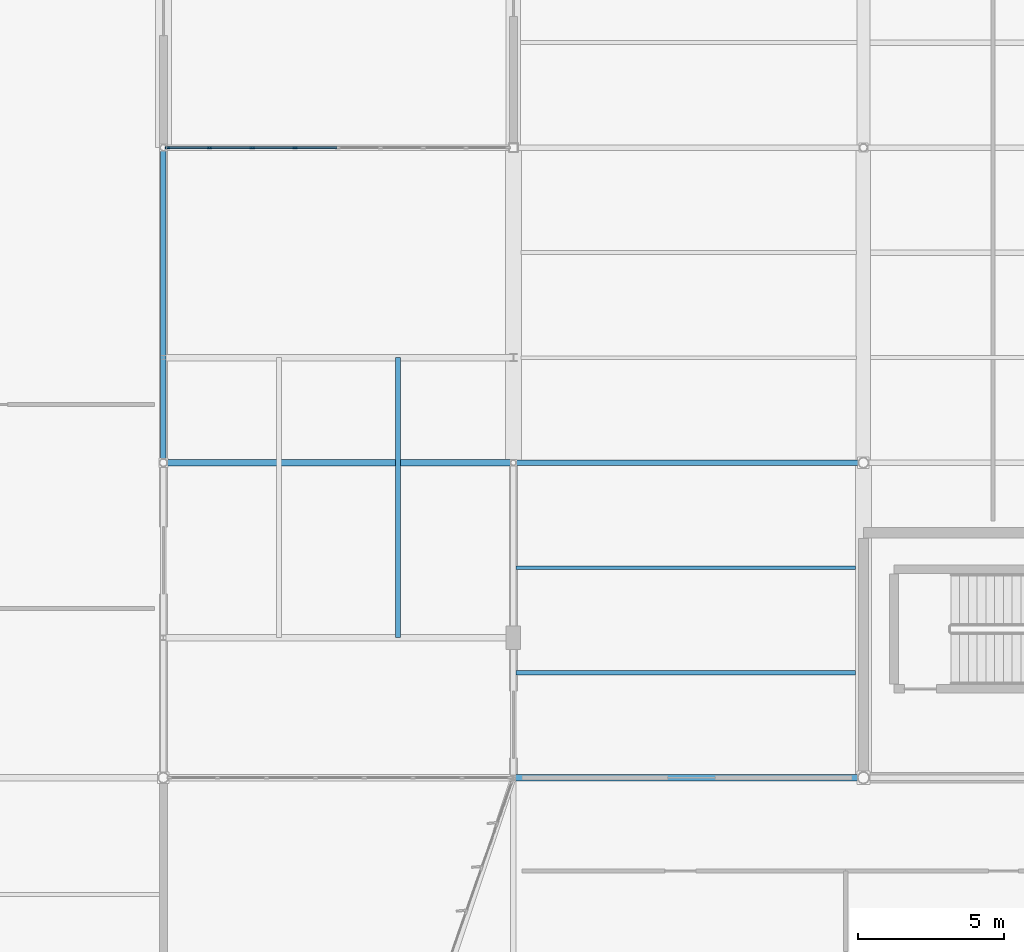
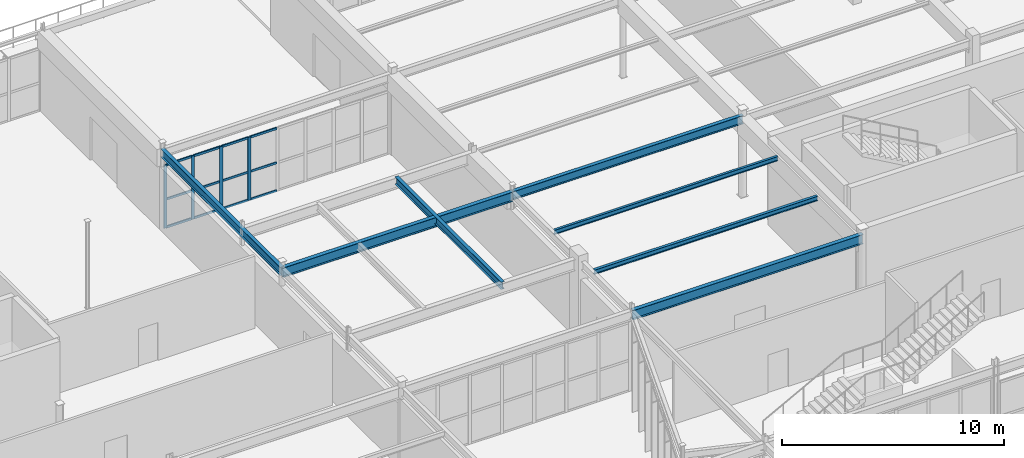
# One storey, part 106 of 199: 16 members, 7 beams, 1 element without a shape of its own.
"""IFC4 building model written with IfcOpenShell, lengths in metres."""

from ifc_helpers import new_model, si_unit, direction, frame, origin, origin_2d, place, context, subcontext, project, spatial, rectangle, i_section, extrude, material, layer, layer_set, material_profile, profile_set, type_object, element, aggregate, save


model = new_model("IFC4")

# Units and contexts
model_context = context("Model", 3, precision=1e-05, world=origin(), true_north=direction((0.0, 1.0)))
body_context = subcontext(model_context, "Body", "Model", "MODEL_VIEW")
ifc_project = project(units=[si_unit("LENGTHUNIT", "METRE"), si_unit("AREAUNIT", "SQUARE_METRE"), si_unit("VOLUMEUNIT", "CUBIC_METRE"), si_unit("PLANEANGLEUNIT", "RADIAN"), si_unit("MASSUNIT", "GRAM", prefix="KILO")], contexts=[model_context])

# Site, building, storey
site_placement = place(None, origin())
site = spatial("IfcSite", under=ifc_project, at=site_placement, CompositionType="ELEMENT")
building_placement = place(site_placement, origin())
building = spatial("IfcBuilding", under=site, at=building_placement, Name="Tarnwether General Hospital", CompositionType="ELEMENT")
storey_placement = place(building_placement, origin())
storey = spatial("IfcBuildingStorey", under=building, at=storey_placement, Name="L00", CompositionType="ELEMENT", Elevation=0.0)

# Beams
ifc_material_1 = material(Name="Steel Grade 350 (350 MPa)", Category="steel")
ifc_material_profile_1 = material_profile(ifc_material_1, i_section(OverallWidth=0.208984375, OverallDepth=0.528076171875, WebThickness=0.009521484375, FlangeThickness=0.01318359375, at=origin_2d()), Name="530UB82.0")
ifc_profile_set_1 = profile_set([ifc_material_profile_1], Name="Steel Grade 350 (350 MPa)")
beam_type_1 = type_object("IfcBeamType", Name="BM-G07", PredefinedType="BEAM", material=ifc_profile_set_1)
for number, where, z_axis, x_axis, name in (
    (1, (132.0, 104.39990234375, 4.180908203125), (1.0, 0.0, 0.0), (0.0, 1.0, 0.0), "Primary Girder BMG-L00-13200_10440-14400_10440-0779"),
    (2, (144.0, 93.60009765625, 4.180908203125), (1.0, 0.0, 0.0), (0.0, 1.0, 0.0), "Primary Girder BMG-L00-14400_9360-15600_9360-0798"),
):
    element("IfcBeam", number, at=place(storey_placement, frame(where, z_axis=z_axis, x_axis=x_axis)), inside=storey, type_object=beam_type_1, Name=name, PredefinedType="BEAM", context=body_context, shape_type="SweptSolid", body=[
        extrude(i_section(OverallWidth=0.208984375, OverallDepth=0.528076171875, WebThickness=0.009521484375, FlangeThickness=0.01318359375, at=origin_2d()), origin(), (0.0, 0.0, 1.0), 12.0),
    ])
ifc_material_2 = material(Name="Steel Grade 350 (350 MPa)", Category="steel")
ifc_material_profile_2 = material_profile(ifc_material_2, i_section(OverallWidth=0.19091796875, OverallDepth=0.4599609375, WebThickness=0.010009765625, FlangeThickness=0.01611328125, at=origin_2d()), Name="460UB82.1")
ifc_profile_set_2 = profile_set([ifc_material_profile_2], Name="Steel Grade 350 (350 MPa)")
beam_type_2 = type_object("IfcBeamType", Name="BM-G08", PredefinedType="BEAM", material=ifc_profile_set_2)
beam_1_placement = place(storey_placement, frame((144.0, 104.39990234375, 4.215087890625), z_axis=(1.0, 0.0, 0.0), x_axis=(0.0, 1.0, 0.0)))
element("IfcBeam", 3, at=beam_1_placement, inside=storey, type_object=beam_type_2, Name="Primary Girder BMG-L00-14400_10440-15600_10440-0800", PredefinedType="BEAM", context=body_context, shape_type="SweptSolid", body=[
    extrude(i_section(OverallWidth=0.19091796875, OverallDepth=0.4599609375, WebThickness=0.010009765625, FlangeThickness=0.01611328125, at=origin_2d()), origin(), (0.0, 0.0, 1.0), 12.0),
])
ifc_material_3 = material(Name="Steel Grade 350 (350 MPa)", Category="steel")
ifc_material_profile_3 = material_profile(ifc_material_3, i_section(OverallWidth=0.18994140625, OverallDepth=0.4541015625, WebThickness=0.008544921875, FlangeThickness=0.0126953125, at=origin_2d()), Name="460UB67.1")
ifc_profile_set_3 = profile_set([ifc_material_profile_3], Name="Steel Grade 350 (350 MPa)")
beam_type_3 = type_object("IfcBeamType", Name="BM-G10", PredefinedType="BEAM", material=ifc_profile_set_3)
beam_2_placement = place(storey_placement, frame((132.0, 104.39990234375, 4.218017578125), z_axis=(0.0, 1.0, 0.0), x_axis=(-1.0, 0.0, 0.0)))
element("IfcBeam", 4, at=beam_2_placement, inside=storey, type_object=beam_type_3, Name="Primary Girder BMG-L00-13200_10440-13200_11520-0780", PredefinedType="BEAM", context=body_context, shape_type="SweptSolid", body=[
    extrude(i_section(OverallWidth=0.18994140625, OverallDepth=0.4541015625, WebThickness=0.008544921875, FlangeThickness=0.0126953125, at=origin_2d()), origin(), (0.0, 0.0, 1.0), 10.800048828125),
])
ifc_material_4 = material(Name="Steel Grade 350 (350 MPa)", Category="steel")
ifc_material_profile_4 = material_profile(ifc_material_4, i_section(OverallWidth=0.177978515625, OverallDepth=0.403076171875, WebThickness=0.007568359375, FlangeThickness=0.010986328125, at=origin_2d()), Name="410UB53.7")
ifc_profile_set_4 = profile_set([ifc_material_profile_4], Name="Steel Grade 350 (350 MPa)")
beam_type_4 = type_object("IfcBeamType", Name="BM-J02", PredefinedType="JOIST", material=ifc_profile_set_4)
beam_3_placement = place(storey_placement, frame((140.0400390625, 98.39990234375, 4.243408203125), z_axis=(0.0, 1.0, 0.0), x_axis=(-1.0, 0.0, 0.0)))
element("IfcBeam", 5, at=beam_3_placement, inside=storey, type_object=beam_type_4, Name="Court Link Bridge Cross Beam North BMG-L00-14004_9840-14004_10800-1861", PredefinedType="JOIST", context=body_context, shape_type="SweptSolid", body=[
    extrude(i_section(OverallWidth=0.177978515625, OverallDepth=0.403076171875, WebThickness=0.007568359375, FlangeThickness=0.010986328125, at=origin_2d()), origin(), (0.0, 0.0, 1.0), 9.60009765625),
])
ifc_material_5 = material(Name="Steel Grade 350 (350 MPa)", Category="steel")
ifc_material_profile_5 = material_profile(ifc_material_5, i_section(OverallWidth=0.14599609375, OverallDepth=0.251953125, WebThickness=0.006103515625, FlangeThickness=0.008544921875, at=origin_2d()), Name="250UB31.4")
ifc_profile_set_5 = profile_set([ifc_material_profile_5], Name="Steel Grade 350 (350 MPa)")
beam_type_5 = type_object("IfcBeamType", Name="BM-J10", PredefinedType="JOIST", material=ifc_profile_set_5)
beam_4_placement = place(storey_placement, frame((144.089111328125, 97.199951171875, 4.319091796875), z_axis=(1.0, 0.0, 0.0), x_axis=(0.0, 1.0, 0.0)))
element("IfcBeam", 6, at=beam_4_placement, inside=storey, type_object=beam_type_5, Name="Composite Floor Joist BMG-L00-14409_9720-15573_9720-1003", PredefinedType="JOIST", context=body_context, shape_type="SweptSolid", body=[
    extrude(i_section(OverallWidth=0.14599609375, OverallDepth=0.251953125, WebThickness=0.006103515625, FlangeThickness=0.008544921875, at=origin_2d()), origin(), (0.0, 0.0, 1.0), 11.641845703125),
])
ifc_material_6 = material(Name="Steel Grade 350 (350 MPa)", Category="steel")
ifc_material_profile_6 = material_profile(ifc_material_6, i_section(OverallWidth=0.1240234375, OverallDepth=0.248046875, WebThickness=0.0048828125, FlangeThickness=0.008056640625, at=origin_2d()), Name="250UB25.7")
ifc_profile_set_6 = profile_set([ifc_material_profile_6], Name="Steel Grade 350 (350 MPa)")
beam_type_6 = type_object("IfcBeamType", Name="BM-J11", PredefinedType="JOIST", material=ifc_profile_set_6)
beam_5_placement = place(storey_placement, frame((144.089111328125, 100.800048828125, 4.321044921875), z_axis=(1.0, 0.0, 0.0), x_axis=(0.0, 1.0, 0.0)))
element("IfcBeam", 7, at=beam_5_placement, inside=storey, type_object=beam_type_6, Name="Composite Floor Joist BMG-L00-14409_10080-15573_10080-1004", PredefinedType="JOIST", context=body_context, shape_type="SweptSolid", body=[
    extrude(i_section(OverallWidth=0.1240234375, OverallDepth=0.248046875, WebThickness=0.0048828125, FlangeThickness=0.008056640625, at=origin_2d()), origin(), (0.0, 0.0, 1.0), 11.641845703125),
])

# Curtain wall, members
ifc_material_7 = material(Name="Anodised aluminium", Category="aluminium")
ifc_layer = layer(ifc_material_7, 0.159912109375)
ifc_layer_set = layer_set([ifc_layer], Name="Anodised aluminium")
curtain_wall_type = type_object("IfcCurtainWallType", Name="CW-09", PredefinedType="NOTDEFINED", material=ifc_layer_set)
curtain_wall_placement = place(storey_placement, origin())
curtain_wall = element("IfcCurtainWall", 8, at=curtain_wall_placement, inside=storey, type_object=curtain_wall_type, Name="Curtain Wall CWG-L00-1321_1152-0315", PredefinedType="NOTDEFINED")
ifc_material_8 = material(Name="Anodised aluminium", Category="aluminium")
ifc_material_profile_7 = material_profile(ifc_material_8, rectangle(XDim=0.06005859375, YDim=0.159912109375, at=origin_2d()), Name="ALU-MUL-60x160")
ifc_profile_set_7 = profile_set([ifc_material_profile_7], Name="Anodised aluminium")
member_type_1 = type_object("IfcMemberType", Name="CW-ML1", PredefinedType="MULLION", material=ifc_profile_set_7)
member_1_placement = place(storey_placement, frame((132.14794921875, 115.199951171875, 0.0), z_axis=(0.0, 0.0, 1.0), x_axis=(0.0, 1.0, 0.0)))
member_1 = element("IfcMember", 9, at=member_1_placement, type_object=member_type_1, Name="CW-09 mullion 1", PredefinedType="MULLION", context=body_context, shape_type="SweptSolid", body=[
    extrude(rectangle(XDim=0.06005859375, YDim=0.159912109375, at=origin_2d()), origin(), (0.0, 0.0, 1.0), 3.47998046875),
])
member_2_placement = place(storey_placement, frame((133.58349609375, 115.199951171875, 0.0), z_axis=(0.0, 0.0, 1.0), x_axis=(0.0, 1.0, 0.0)))
member_2 = element("IfcMember", 10, at=member_2_placement, type_object=member_type_1, Name="CW-09 mullion 2", PredefinedType="MULLION", context=body_context, shape_type="SweptSolid", body=[
    extrude(rectangle(XDim=0.06005859375, YDim=0.159912109375, at=origin_2d()), origin(), (0.0, 0.0, 1.0), 3.47998046875),
])
member_3_placement = place(storey_placement, frame((135.049072265625, 115.199951171875, 0.0), z_axis=(0.0, 0.0, 1.0), x_axis=(0.0, 1.0, 0.0)))
member_3 = element("IfcMember", 11, at=member_3_placement, type_object=member_type_1, Name="CW-09 mullion 3", PredefinedType="MULLION", context=body_context, shape_type="SweptSolid", body=[
    extrude(rectangle(XDim=0.06005859375, YDim=0.159912109375, at=origin_2d()), origin(), (0.0, 0.0, 1.0), 3.47998046875),
])
member_4_placement = place(storey_placement, frame((136.514404296875, 115.199951171875, 0.0), z_axis=(0.0, 0.0, 1.0), x_axis=(0.0, 1.0, 0.0)))
member_4 = element("IfcMember", 12, at=member_4_placement, type_object=member_type_1, Name="CW-09 mullion 4", PredefinedType="MULLION", context=body_context, shape_type="SweptSolid", body=[
    extrude(rectangle(XDim=0.06005859375, YDim=0.159912109375, at=origin_2d()), origin(), (0.0, 0.0, 1.0), 3.47998046875),
])
ifc_material_9 = material(Name="Anodised aluminium", Category="aluminium")
ifc_material_profile_8 = material_profile(ifc_material_9, rectangle(XDim=0.06005859375, YDim=0.1201171875, at=origin_2d()), Name="ALU-TRN-60x120")
ifc_profile_set_8 = profile_set([ifc_material_profile_8], Name="Anodised aluminium")
member_type_2 = type_object("IfcMemberType", Name="CW-TR1", PredefinedType="USERDEFINED", material=ifc_profile_set_8)
member_5_placement = place(storey_placement, frame((132.177978515625, 115.199951171875, 0.030029296875), z_axis=(1.0, 0.0, 0.0), x_axis=(0.0, 1.0, 0.0)))
member_5 = element("IfcMember", 13, at=member_5_placement, type_object=member_type_2, Name="CW-09 transom 1.1", ObjectType="TRANSOM", PredefinedType="USERDEFINED", context=body_context, shape_type="SweptSolid", body=[
    extrude(rectangle(XDim=0.06005859375, YDim=0.1201171875, at=origin_2d()), origin(), (0.0, 0.0, 1.0), 1.37548828125),
])
member_6_placement = place(storey_placement, frame((132.177978515625, 115.199951171875, 1.56591796875), z_axis=(1.0, 0.0, 0.0), x_axis=(0.0, 1.0, 0.0)))
member_6 = element("IfcMember", 14, at=member_6_placement, type_object=member_type_2, Name="CW-09 transom 1.2", ObjectType="TRANSOM", PredefinedType="USERDEFINED", context=body_context, shape_type="SweptSolid", body=[
    extrude(rectangle(XDim=0.06005859375, YDim=0.1201171875, at=origin_2d()), origin(), (0.0, 0.0, 1.0), 1.37548828125),
])
member_7_placement = place(storey_placement, frame((132.177978515625, 115.199951171875, 3.449951171875), z_axis=(1.0, 0.0, 0.0), x_axis=(0.0, 1.0, 0.0)))
member_7 = element("IfcMember", 15, at=member_7_placement, type_object=member_type_2, Name="CW-09 transom 1.3", ObjectType="TRANSOM", PredefinedType="USERDEFINED", context=body_context, shape_type="SweptSolid", body=[
    extrude(rectangle(XDim=0.06005859375, YDim=0.1201171875, at=origin_2d()), origin(), (0.0, 0.0, 1.0), 1.37548828125),
])
member_8_placement = place(storey_placement, frame((133.613525390625, 115.199951171875, 0.030029296875), z_axis=(1.0, 0.0, 0.0), x_axis=(0.0, 1.0, 0.0)))
member_8 = element("IfcMember", 16, at=member_8_placement, type_object=member_type_2, Name="CW-09 transom 2.1", ObjectType="TRANSOM", PredefinedType="USERDEFINED", context=body_context, shape_type="SweptSolid", body=[
    extrude(rectangle(XDim=0.06005859375, YDim=0.1201171875, at=origin_2d()), origin(), (0.0, 0.0, 1.0), 1.405517578125),
])
member_9_placement = place(storey_placement, frame((133.613525390625, 115.199951171875, 1.56591796875), z_axis=(1.0, 0.0, 0.0), x_axis=(0.0, 1.0, 0.0)))
member_9 = element("IfcMember", 17, at=member_9_placement, type_object=member_type_2, Name="CW-09 transom 2.2", ObjectType="TRANSOM", PredefinedType="USERDEFINED", context=body_context, shape_type="SweptSolid", body=[
    extrude(rectangle(XDim=0.06005859375, YDim=0.1201171875, at=origin_2d()), origin(), (0.0, 0.0, 1.0), 1.405517578125),
])
member_10_placement = place(storey_placement, frame((133.613525390625, 115.199951171875, 3.449951171875), z_axis=(1.0, 0.0, 0.0), x_axis=(0.0, 1.0, 0.0)))
member_10 = element("IfcMember", 18, at=member_10_placement, type_object=member_type_2, Name="CW-09 transom 2.3", ObjectType="TRANSOM", PredefinedType="USERDEFINED", context=body_context, shape_type="SweptSolid", body=[
    extrude(rectangle(XDim=0.06005859375, YDim=0.1201171875, at=origin_2d()), origin(), (0.0, 0.0, 1.0), 1.405517578125),
])
member_11_placement = place(storey_placement, frame((135.0791015625, 115.199951171875, 0.030029296875), z_axis=(1.0, 0.0, 0.0), x_axis=(0.0, 1.0, 0.0)))
member_11 = element("IfcMember", 19, at=member_11_placement, type_object=member_type_2, Name="CW-09 transom 3.1", ObjectType="TRANSOM", PredefinedType="USERDEFINED", context=body_context, shape_type="SweptSolid", body=[
    extrude(rectangle(XDim=0.06005859375, YDim=0.1201171875, at=origin_2d()), origin(), (0.0, 0.0, 1.0), 1.405517578125),
])
member_12_placement = place(storey_placement, frame((135.0791015625, 115.199951171875, 1.56591796875), z_axis=(1.0, 0.0, 0.0), x_axis=(0.0, 1.0, 0.0)))
member_12 = element("IfcMember", 20, at=member_12_placement, type_object=member_type_2, Name="CW-09 transom 3.2", ObjectType="TRANSOM", PredefinedType="USERDEFINED", context=body_context, shape_type="SweptSolid", body=[
    extrude(rectangle(XDim=0.06005859375, YDim=0.1201171875, at=origin_2d()), origin(), (0.0, 0.0, 1.0), 1.405517578125),
])
member_13_placement = place(storey_placement, frame((135.0791015625, 115.199951171875, 3.449951171875), z_axis=(1.0, 0.0, 0.0), x_axis=(0.0, 1.0, 0.0)))
member_13 = element("IfcMember", 21, at=member_13_placement, type_object=member_type_2, Name="CW-09 transom 3.3", ObjectType="TRANSOM", PredefinedType="USERDEFINED", context=body_context, shape_type="SweptSolid", body=[
    extrude(rectangle(XDim=0.06005859375, YDim=0.1201171875, at=origin_2d()), origin(), (0.0, 0.0, 1.0), 1.405517578125),
])
member_14_placement = place(storey_placement, frame((136.54443359375, 115.199951171875, 0.030029296875), z_axis=(1.0, 0.0, 0.0), x_axis=(0.0, 1.0, 0.0)))
member_14 = element("IfcMember", 22, at=member_14_placement, type_object=member_type_2, Name="CW-09 transom 4.1", ObjectType="TRANSOM", PredefinedType="USERDEFINED", context=body_context, shape_type="SweptSolid", body=[
    extrude(rectangle(XDim=0.06005859375, YDim=0.1201171875, at=origin_2d()), origin(), (0.0, 0.0, 1.0), 1.405517578125),
])
member_15_placement = place(storey_placement, frame((136.54443359375, 115.199951171875, 1.56591796875), z_axis=(1.0, 0.0, 0.0), x_axis=(0.0, 1.0, 0.0)))
member_15 = element("IfcMember", 23, at=member_15_placement, type_object=member_type_2, Name="CW-09 transom 4.2", ObjectType="TRANSOM", PredefinedType="USERDEFINED", context=body_context, shape_type="SweptSolid", body=[
    extrude(rectangle(XDim=0.06005859375, YDim=0.1201171875, at=origin_2d()), origin(), (0.0, 0.0, 1.0), 1.405517578125),
])
member_16_placement = place(storey_placement, frame((136.54443359375, 115.199951171875, 3.449951171875), z_axis=(1.0, 0.0, 0.0), x_axis=(0.0, 1.0, 0.0)))
member_16 = element("IfcMember", 24, at=member_16_placement, type_object=member_type_2, Name="CW-09 transom 4.3", ObjectType="TRANSOM", PredefinedType="USERDEFINED", context=body_context, shape_type="SweptSolid", body=[
    extrude(rectangle(XDim=0.06005859375, YDim=0.1201171875, at=origin_2d()), origin(), (0.0, 0.0, 1.0), 1.405517578125),
])
aggregate(curtain_wall, [member_1, member_2, member_3, member_4, member_5, member_6, member_7, member_8, member_9, member_10, member_11, member_12, member_13, member_14, member_15, member_16])

save(model, "model.ifc")
